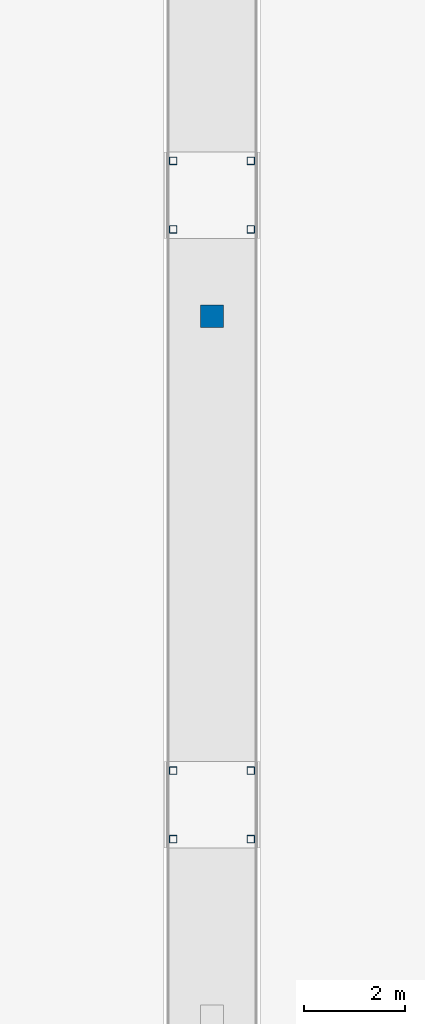
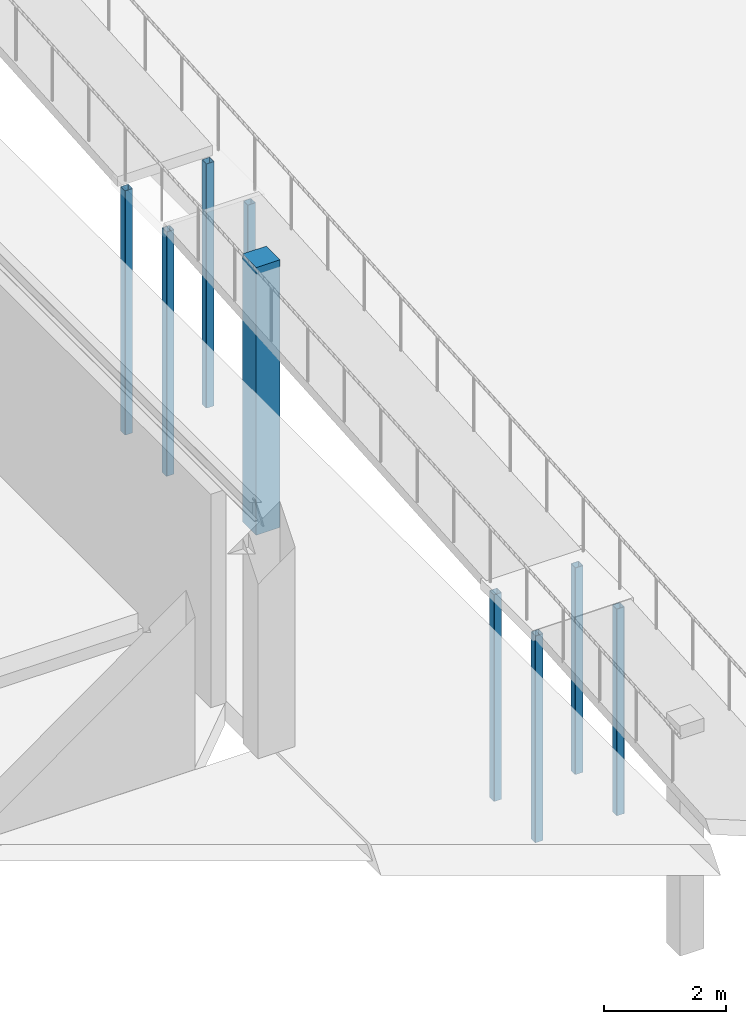
# One storey, part 11 of 85: 9 columns.
"""IFC4 building model written with IfcOpenShell, lengths in metres."""

from ifc_helpers import new_model, si_unit, direction, frame, origin, origin_2d, place, context, subcontext, project, spatial, rectangle, hollow_rectangle, extrude, material, material_profile, profile_set, type_object, element, save


model = new_model("IFC4")

# Units and contexts
model_context = context("Model", 3, precision=1e-05, world=origin(), true_north=direction((0.0, 1.0)))
body_context = subcontext(model_context, "Body", "Model", "MODEL_VIEW")
ifc_project = project(units=[si_unit("LENGTHUNIT", "METRE"), si_unit("AREAUNIT", "SQUARE_METRE"), si_unit("VOLUMEUNIT", "CUBIC_METRE"), si_unit("PLANEANGLEUNIT", "RADIAN"), si_unit("MASSUNIT", "GRAM", prefix="KILO")], contexts=[model_context])

# Site, building, storey
site_placement = place(None, origin())
site = spatial("IfcSite", under=ifc_project, at=site_placement, CompositionType="ELEMENT")
building_placement = place(site_placement, origin())
building = spatial("IfcBuilding", under=site, at=building_placement, Name="Ochrevale Crest", CompositionType="ELEMENT")
storey_placement = place(building_placement, origin())
storey = spatial("IfcBuildingStorey", under=building, at=storey_placement, Name="L00", CompositionType="ELEMENT", Elevation=0.0)

# Columns
ifc_material_1 = material(Name="Precast concrete C40/50", Category="concrete")
ifc_material_profile_1 = material_profile(ifc_material_1, rectangle(XDim=0.449951171875, YDim=0.449951171875, at=origin_2d()), Name="RC 450x450")
ifc_profile_set_1 = profile_set([ifc_material_profile_1], Name="Precast concrete C40/50")
column_type_1 = type_object("IfcColumnType", Name="COL-RC450x450", PredefinedType="COLUMN", material=ifc_profile_set_1)
column_placement = place(storey_placement, frame((113.800048828125, 53.5, -3.860107421875), z_axis=(0.0, 0.0, 1.0), x_axis=(1.0, 0.0, 0.0)))
element("IfcColumn", 1, at=column_placement, inside=storey, type_object=column_type_1, Name="Foundation support pier FTG-PF-RE1B", PredefinedType="COLUMN", context=body_context, shape_type="SweptSolid", body=[
    extrude(rectangle(XDim=0.449951171875, YDim=0.449951171875, at=origin_2d()), origin(), (0.0, 0.0, 1.0), 5.360107421875),
])
ifc_material_2 = material(Name="Steel S355", Category="steel")
ifc_material_profile_2 = material_profile(ifc_material_2, hollow_rectangle(XDim=0.14990234375, YDim=0.14990234375, WallThickness=0.006103515625, InnerFilletRadius=0.006103515625, OuterFilletRadius=0.011962890625, at=origin_2d()), Name="150x150x6.0SHS")
ifc_profile_set_2 = profile_set([ifc_material_profile_2], Name="Steel S355")
column_type_2 = type_object("IfcColumnType", Name="COL-SHS150", PredefinedType="COLUMN", material=ifc_profile_set_2)
for number, where, z_axis, x_axis, name in (
    (2, (113.030029296875, 43.1201171875, -3.60009765625), (0.0, 0.0, 1.0), (1.0, 0.0, 0.0), "Ramp landing RMP-ACC-E1-L1 support post 1"),
    (3, (114.570068359375, 43.1201171875, -3.60009765625), (0.0, 0.0, 1.0), (1.0, 0.0, 0.0), "Ramp landing RMP-ACC-E1-L1 support post 2"),
    (4, (113.030029296875, 44.47998046875, -3.60009765625), (0.0, 0.0, 1.0), (1.0, 0.0, 0.0), "Ramp landing RMP-ACC-E1-L1 support post 3"),
    (5, (114.570068359375, 44.47998046875, -3.60009765625), (0.0, 0.0, 1.0), (1.0, 0.0, 0.0), "Ramp landing RMP-ACC-E1-L1 support post 4"),
):
    element("IfcColumn", number, at=place(storey_placement, frame(where, z_axis=z_axis, x_axis=x_axis)), inside=storey, type_object=column_type_2, Name=name, PredefinedType="COLUMN", context=body_context, shape_type="SweptSolid", body=[
        extrude(hollow_rectangle(XDim=0.14990234375, YDim=0.14990234375, WallThickness=0.006103515625, InnerFilletRadius=0.006103515625, OuterFilletRadius=0.011962890625, at=origin_2d()), origin(), (0.0, 0.0, 1.0), 4.14013671875),
    ])
for number, where, z_axis, x_axis, name in (
    (6, (113.030029296875, 55.219970703125, -3.60009765625), (0.0, 0.0, 1.0), (1.0, 0.0, 0.0), "Ramp landing RMP-ACC-E1-L2 support post 1"),
    (7, (114.570068359375, 55.219970703125, -3.60009765625), (0.0, 0.0, 1.0), (1.0, 0.0, 0.0), "Ramp landing RMP-ACC-E1-L2 support post 2"),
    (8, (113.030029296875, 56.580078125, -3.60009765625), (0.0, 0.0, 1.0), (1.0, 0.0, 0.0), "Ramp landing RMP-ACC-E1-L2 support post 3"),
    (9, (114.570068359375, 56.580078125, -3.60009765625), (0.0, 0.0, 1.0), (1.0, 0.0, 0.0), "Ramp landing RMP-ACC-E1-L2 support post 4"),
):
    element("IfcColumn", number, at=place(storey_placement, frame(where, z_axis=z_axis, x_axis=x_axis)), inside=storey, type_object=column_type_2, Name=name, PredefinedType="COLUMN", context=body_context, shape_type="SweptSolid", body=[
        extrude(hollow_rectangle(XDim=0.14990234375, YDim=0.14990234375, WallThickness=0.006103515625, InnerFilletRadius=0.006103515625, OuterFilletRadius=0.011962890625, at=origin_2d()), origin(), (0.0, 0.0, 1.0), 4.89013671875),
    ])

save(model, "model.ifc")
